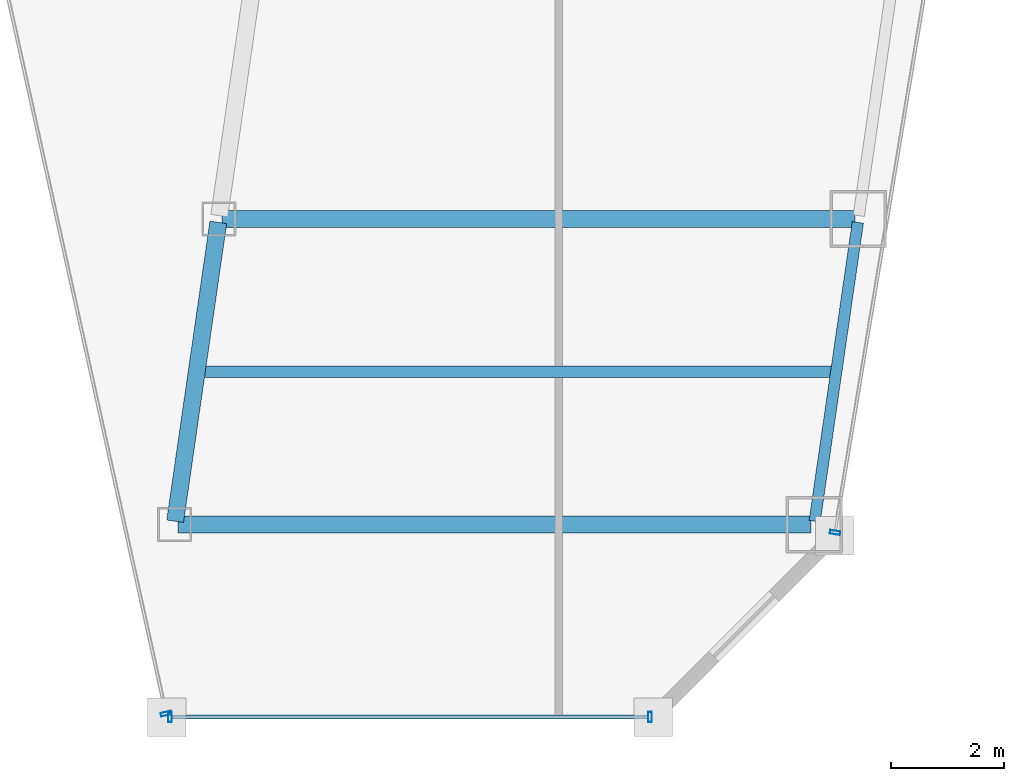
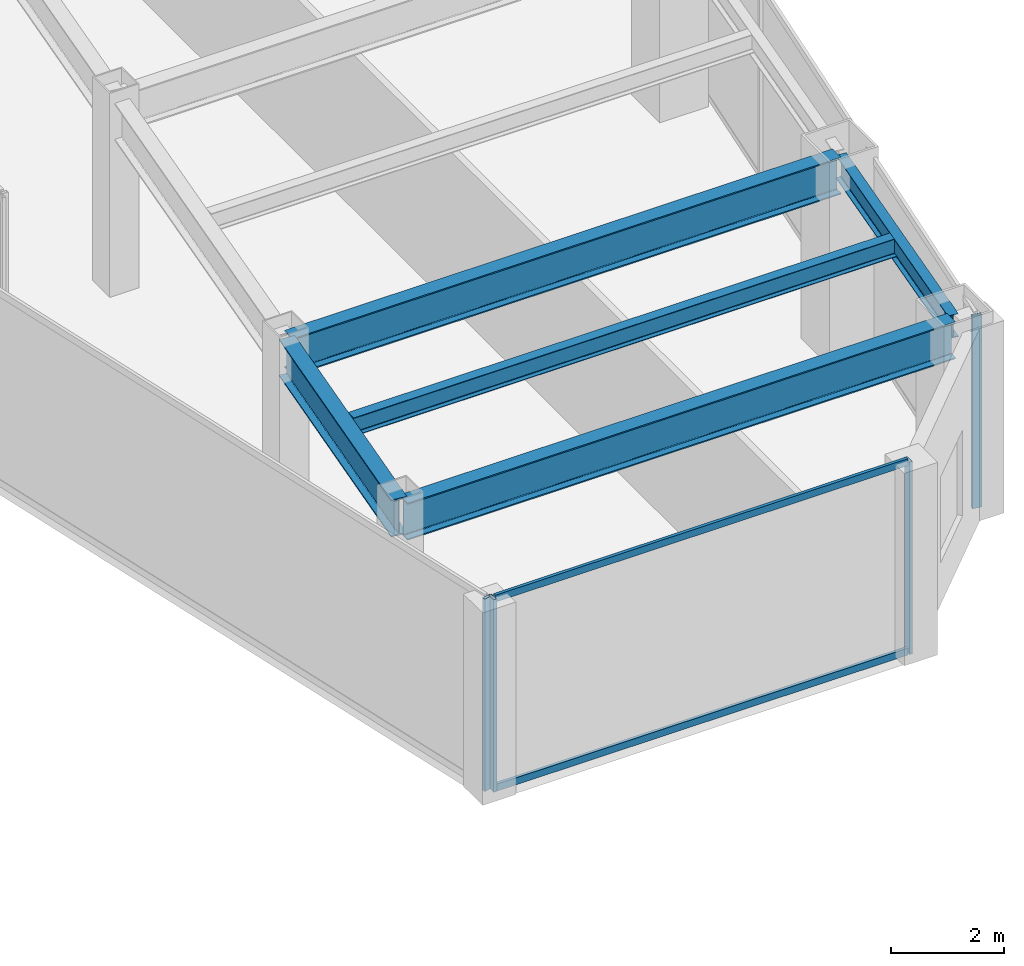
# One storey, part 15 of 37: 6 members, 5 beams, 3 elements without a shape of their own.
"""IFC4 building model written with IfcOpenShell, lengths in metres."""

import ifcopenshell
import ifcopenshell.guid

model = None  # the IFC model being written
_history = None  # IfcOwnerHistory: only IFC2X3 demands one
_inside = {}  # id of a spatial element -> (the spatial element, [elements in it])
_under = {}  # id of a project, library or spatial element -> (it, [spatial elements below it])
_declared = {}  # id of a project -> (the project, [libraries it declares])
_typed = {}  # id of a type object -> (the type object, [elements of that type])
_made_of = {}  # id of a material, layer set ... -> (it, [elements and type objects made of it])


def new_model(schema):
    """Start an empty IFC model of exactly this schema.

    Asked for "IFC4X3", IfcOpenShell would pick the latest addendum, in which some entities
    have other attributes; the version numbers below select the first issue.
    IFC2X3 requires an IfcOwnerHistory on every rooted entity: one is made here for all.
    """
    global model, _history
    if schema == "IFC4X3":
        model = ifcopenshell.file(schema_version=(4, 3, 0, 0))
    else:
        model = ifcopenshell.file(schema=schema)
    _inside.clear()
    _under.clear()
    _declared.clear()
    _typed.clear()
    _made_of.clear()
    _history = None
    if model.schema == "IFC2X3":
        org = make("IfcOrganization", Name="unknown")
        user = make(
            "IfcPersonAndOrganization",
            ThePerson=make("IfcPerson", FamilyName="unknown"),
            TheOrganization=org,
        )
        app = make(
            "IfcApplication",
            ApplicationDeveloper=org,
            Version="unknown",
            ApplicationFullName="unknown",
            ApplicationIdentifier="unknown",
        )
        _history = make(
            "IfcOwnerHistory",
            OwningUser=user,
            OwningApplication=app,
            ChangeAction="ADDED",
            CreationDate=0,
        )
    return model


def make(cls, **values):
    """One entity of the class cls with the attributes given. An attribute that is None is left unset."""
    return model.create_entity(
        cls, **{name: value for name, value in values.items() if value is not None}
    )


def rooted(cls, **values):
    """An entity with a GlobalId (a new one), such as an element, a storey or a relation."""
    return make(cls, GlobalId=ifcopenshell.guid.new(), OwnerHistory=_history, **values)


def si_unit(unit_type, name, prefix=None):
    """IfcSIUnit, for example si_unit("LENGTHUNIT", "METRE", prefix="MILLI")."""
    return make("IfcSIUnit", UnitType=unit_type, Prefix=prefix, Name=name)


def assignment(units):
    """IfcUnitAssignment: the units of a project."""
    return None if units is None else make("IfcUnitAssignment", Units=units)


def point(xyz):
    """IfcCartesianPoint."""
    return None if xyz is None else make("IfcCartesianPoint", Coordinates=xyz)


def direction(xyz):
    """IfcDirection."""
    return None if xyz is None else make("IfcDirection", DirectionRatios=xyz)


def frame(location, z_axis=None, x_axis=None):
    """IfcAxis2Placement3D, a coordinate frame: its origin and axes. An axis left out is left unset."""
    return make(
        "IfcAxis2Placement3D",
        Location=point(location),
        Axis=direction(z_axis),
        RefDirection=direction(x_axis),
    )


def frame_2d(location, x_axis=None):
    """IfcAxis2Placement2D, a coordinate frame in the plane: its origin and x axis."""
    return make(
        "IfcAxis2Placement2D", Location=point(location), RefDirection=direction(x_axis)
    )


def origin():
    """The frame at (0, 0, 0) with its axes left unset."""
    return frame((0.0, 0.0, 0.0))


def origin_2d():
    """The frame at (0, 0) in the plane with its x axis left unset."""
    return frame_2d((0.0, 0.0))


def place(relative_to, where):
    """IfcLocalPlacement: puts the frame where relative to a parent placement (None: the world)."""
    return make(
        "IfcLocalPlacement", PlacementRelTo=relative_to, RelativePlacement=where
    )


def context(
    kind, dimensions, precision=None, world=None, true_north=None, identifier=None
):
    """IfcGeometricRepresentationContext, for example the 3D "Model" context."""
    return make(
        "IfcGeometricRepresentationContext",
        ContextIdentifier=identifier,
        ContextType=kind,
        CoordinateSpaceDimension=dimensions,
        Precision=precision,
        WorldCoordinateSystem=world,
        TrueNorth=true_north,
    )


def subcontext(parent, identifier, kind, view, scale=None):
    """IfcGeometricRepresentationSubContext, for example "Body" below "Model"."""
    return make(
        "IfcGeometricRepresentationSubContext",
        ContextIdentifier=identifier,
        ContextType=kind,
        ParentContext=parent,
        TargetScale=scale,
        TargetView=view,
    )


def project(units=None, contexts=None):
    """IfcProject with its units and contexts."""
    return rooted(
        "IfcProject",
        Name="project",
        RepresentationContexts=contexts,
        UnitsInContext=assignment(units),
    )


def spatial(cls, under=None, at=None, **own):
    """A site, building, storey or space (cls), placed at a placement, below another one or the project."""
    s = rooted(cls, ObjectPlacement=at, **own)
    if under is not None:
        _under.setdefault(under.id(), (under, []))[1].append(s)
    return s


def profile(cls, at=None, kind="AREA", **sizes):
    """A parametric profile (cls). Its sizes go by their IFC names, for example OverallWidth=200.0."""
    return make(cls, ProfileType=kind, Position=at, **sizes)


def hollow_rectangle(**sizes):
    """IfcRectangleHollowProfileDef."""
    return profile("IfcRectangleHollowProfileDef", **sizes)


def i_section(**sizes):
    """IfcIShapeProfileDef."""
    return profile("IfcIShapeProfileDef", **sizes)


def extrude(swept, where, along, depth):
    """IfcExtrudedAreaSolid: the profile swept, set in the frame where, extruded along a direction by depth."""
    return make(
        "IfcExtrudedAreaSolid",
        SweptArea=swept,
        Position=where,
        ExtrudedDirection=direction(along),
        Depth=depth,
    )


def shape(context_of_items, identifier, shape_type, items):
    """IfcShapeRepresentation: the items that make up one representation, for example the "Body"."""
    return make(
        "IfcShapeRepresentation",
        ContextOfItems=context_of_items,
        RepresentationIdentifier=identifier,
        RepresentationType=shape_type,
        Items=items,
    )


def material(Name=None, Category=None):
    """IfcMaterial."""
    return make("IfcMaterial", Name=Name, Category=Category)


def material_profile(
    of_material, cross_section, Name=None, Category=None, Priority=None
):
    """IfcMaterialProfile: a cross section and its material."""
    return make(
        "IfcMaterialProfile",
        Name=Name,
        Material=of_material,
        Profile=cross_section,
        Priority=Priority,
        Category=Category,
    )


def profile_set(profiles, Name=None, composite=None):
    """IfcMaterialProfileSet."""
    return make(
        "IfcMaterialProfileSet",
        Name=Name,
        MaterialProfiles=profiles,
        CompositeProfile=composite,
    )


def made_of(thing, what):
    """Note that an element or type object is made of a material, layer set ...; save() writes the relation."""
    if what is not None:
        _made_of.setdefault(what.id(), (what, []))[1].append(thing)
    return thing


def type_object(cls, material=None, **own):
    """A type object (cls), such as IfcWallType, which elements share."""
    return made_of(rooted(cls, **own), material)


def element(
    cls,
    number,
    at=None,
    inside=None,
    cuts=None,
    type_object=None,
    material=None,
    context=None,
    identifier="Body",
    shape_type=None,
    held_by="IfcProductDefinitionShape",
    body=None,
    shapes=None,
    **own,
):
    """One element of the class cls, such as IfcWall. Its Tag is "e" and its number.

    at: its placement. inside: the storey or other place that contains it. cuts: it is an
    opening in that element (IfcRelVoidsElement). A single representation is given by context,
    identifier, shape_type and body (its items); several are given by shapes. held_by: the class
    of the entity that holds the representations. save() writes the other relations.
    """
    e = rooted(cls, Tag="e%d" % number, ObjectPlacement=at, **own)
    if body is not None:
        shapes = [shape(context, identifier, shape_type, body)]
    if shapes is not None:
        e.Representation = make(held_by, Representations=shapes)
    if inside is not None:
        _inside.setdefault(inside.id(), (inside, []))[1].append(e)
    if cuts is not None:
        rooted(
            "IfcRelVoidsElement", RelatingBuildingElement=cuts, RelatedOpeningElement=e
        )
    if type_object is not None:
        _typed.setdefault(type_object.id(), (type_object, []))[1].append(e)
    return made_of(e, material)


def aggregate(whole, parts):
    """IfcRelAggregates: a whole, such as a stair, and the parts it consists of."""
    return rooted("IfcRelAggregates", RelatingObject=whole, RelatedObjects=parts)


def save(model, path):
    """Write the relations noted so far, then the file.

    IfcRelAggregates (storeys below a building ...), IfcRelContainedInSpatialStructure (elements
    in a storey), IfcRelDefinesByType, IfcRelAssociatesMaterial and IfcRelDeclares: one each for
    every whole, place, type object, material and project.
    """
    for whole, parts in _under.values():
        aggregate(whole, parts)
    for where, things in _inside.values():
        rooted(
            "IfcRelContainedInSpatialStructure",
            RelatedElements=things,
            RelatingStructure=where,
        )
    for kind, things in _typed.values():
        rooted("IfcRelDefinesByType", RelatedObjects=things, RelatingType=kind)
    for what, things in _made_of.values():
        rooted("IfcRelAssociatesMaterial", RelatedObjects=things, RelatingMaterial=what)
    for by, libraries in _declared.values():
        rooted("IfcRelDeclares", RelatingContext=by, RelatedDefinitions=libraries)
    model.write(path)


model = new_model("IFC4")

# Units and contexts
model_context = context("Model", 3, precision=1e-05, world=origin(), true_north=direction((0.0, 1.0)))
body_context = subcontext(model_context, "Body", "Model", "MODEL_VIEW")
ifc_project = project(units=[si_unit("LENGTHUNIT", "METRE"), si_unit("AREAUNIT", "SQUARE_METRE"), si_unit("VOLUMEUNIT", "CUBIC_METRE"), si_unit("PLANEANGLEUNIT", "RADIAN"), si_unit("MASSUNIT", "GRAM", prefix="KILO")], contexts=[model_context])

# Site, building, storey
site_placement = place(None, origin())
site = spatial("IfcSite", under=ifc_project, at=site_placement, CompositionType="ELEMENT")
building_placement = place(site_placement, origin())
building = spatial("IfcBuilding", under=site, at=building_placement, Name="Saevonmaru Cultural Tower", CompositionType="ELEMENT")
storey_placement = place(building_placement, frame((0.0, 0.0, 106.0)))
storey = spatial("IfcBuildingStorey", under=building, at=storey_placement, Name="L22", CompositionType="ELEMENT", Elevation=106.0)

# Beams
ifc_material_1 = material(Name="Steel SM420", Category="steel")
ifc_material_profile_1 = material_profile(ifc_material_1, i_section(OverallWidth=0.300048828125, OverallDepth=0.800048828125, WebThickness=0.013916015625, FlangeThickness=0.02587890625, FilletRadius=0.028076171875, at=origin_2d()), Name="H-800x300x14x26")
ifc_profile_set_1 = profile_set([ifc_material_profile_1], Name="Steel SM420")
beam_type_1 = type_object("IfcBeamType", Name="BM-G-H800", PredefinedType="BEAM", material=ifc_profile_set_1)
beam_1_placement = place(storey_placement, frame((37.300537109375, 10.659423828125, 3.75), z_axis=(0.142977693794, 0.989725911087, 0.0), x_axis=(-0.989725911087, 0.142977693794, 0.0)))
element("IfcBeam", 1, at=beam_1_placement, inside=storey, type_object=beam_type_1, Name="L22 East Atrium Girder 1", PredefinedType="BEAM", context=body_context, shape_type="SweptSolid", body=[
    extrude(i_section(OverallWidth=0.300048828125, OverallDepth=0.800048828125, WebThickness=0.013916015625, FlangeThickness=0.02587890625, FilletRadius=0.028076171875, at=origin_2d()), origin(), (0.0, 0.0, 1.0), 5.336181640625),
])
for number, where, z_axis, x_axis, name in (
    (2, (37.35205078125, 10.60009765625, 3.75), (1.0, 0.0, 0.0), (0.0, 1.0, 0.0), "L22 East Wing Transverse Girder 1"),
    (3, (38.132080078125, 16.0, 3.75), (1.0, 0.0, 0.0), (0.0, 1.0, 0.0), "L22 East Wing Transverse Girder 2"),
):
    element("IfcBeam", number, at=place(storey_placement, frame(where, z_axis=z_axis, x_axis=x_axis)), inside=storey, type_object=beam_type_1, Name=name, PredefinedType="BEAM", context=body_context, shape_type="SweptSolid", body=[
        extrude(i_section(OverallWidth=0.300048828125, OverallDepth=0.800048828125, WebThickness=0.013916015625, FlangeThickness=0.02587890625, FilletRadius=0.028076171875, at=origin_2d()), origin(), (0.0, 0.0, 1.0), 11.179931640625),
    ])
ifc_material_2 = material(Name="Steel SM355", Category="steel")
ifc_material_profile_2 = material_profile(ifc_material_2, i_section(OverallWidth=0.199951171875, OverallDepth=0.39990234375, WebThickness=0.008056640625, FlangeThickness=0.012939453125, FilletRadius=0.01611328125, at=origin_2d()), Name="H-400x200x8x13")
ifc_profile_set_2 = profile_set([ifc_material_profile_2], Name="Steel SM355")
beam_type_2 = type_object("IfcBeamType", Name="BM-J-H400", PredefinedType="JOIST", material=ifc_profile_set_2)
beam_2_placement = place(storey_placement, frame((37.840087890625, 13.300048828125, 3.949951171875), z_axis=(1.0, 0.0, 0.0), x_axis=(0.0, 1.0, 0.0)))
element("IfcBeam", 4, at=beam_2_placement, inside=storey, type_object=beam_type_2, Name="L22 East Wing Floor Joist 1", PredefinedType="JOIST", context=body_context, shape_type="SweptSolid", body=[
    extrude(i_section(OverallWidth=0.199951171875, OverallDepth=0.39990234375, WebThickness=0.008056640625, FlangeThickness=0.012939453125, FilletRadius=0.01611328125, at=origin_2d()), origin(), (0.0, 0.0, 1.0), 11.08203125),
])
ifc_material_profile_3 = material_profile(ifc_material_2, i_section(OverallWidth=0.199951171875, OverallDepth=0.5, WebThickness=0.010009765625, FlangeThickness=0.01611328125, FilletRadius=0.02001953125, at=origin_2d()), Name="H-500x200x10x16")
ifc_profile_set_3 = profile_set([ifc_material_profile_3], Name="Steel SM355")
beam_type_3 = type_object("IfcBeamType", Name="BM-SP-H500", PredefinedType="SPANDREL", material=ifc_profile_set_3)
beam_3_placement = place(storey_placement, frame((48.6005859375, 10.659423828125, 3.89990234375), z_axis=(0.1429328758, 0.989732384544, 0.0), x_axis=(-0.989732384544, 0.1429328758, 0.0)))
element("IfcBeam", 5, at=beam_3_placement, inside=storey, type_object=beam_type_3, Name="L22 East Splayed Spandrel 1", PredefinedType="SPANDREL", context=body_context, shape_type="SweptSolid", body=[
    extrude(i_section(OverallWidth=0.199951171875, OverallDepth=0.5, WebThickness=0.010009765625, FlangeThickness=0.01611328125, FilletRadius=0.02001953125, at=origin_2d()), origin(), (0.0, 0.0, 1.0), 5.3359375),
])

# Curtain wall, member
ifc_material_3 = material(Name="Satin Bronze Anodised Aluminium", Category="aluminium")
curtain_wall_type = type_object("IfcCurtainWallType", Name="CW-TYP-A", PredefinedType="NOTDEFINED", material=ifc_material_3)
curtain_wall_1_placement = place(storey_placement, origin())
curtain_wall_1 = element("IfcCurtainWall", 6, at=curtain_wall_1_placement, inside=storey, type_object=curtain_wall_type, Name="L22 Unitised Curtain Wall E5", PredefinedType="NOTDEFINED")
ifc_material_profile_4 = material_profile(ifc_material_3, hollow_rectangle(XDim=0.06494140625, YDim=0.179931640625, WallThickness=0.00390625, at=origin_2d()), Name="ALU-MULL-180x65x4")
ifc_profile_set_4 = profile_set([ifc_material_profile_4], Name="Satin Bronze Anodised Aluminium")
member_type_1 = type_object("IfcMemberType", Name="ML-CW-180x65", PredefinedType="MULLION", material=ifc_profile_set_4)
member_1_placement = place(storey_placement, frame((37.13818359375, 7.258544921875, 0.0), z_axis=(0.0, 0.0, 1.0), x_axis=(0.215413319953, -0.976522965212, 0.0)))
member_1 = element("IfcMember", 7, at=member_1_placement, type_object=member_type_1, Name="CW-TW-L22-E5 mullion 2", PredefinedType="MULLION", context=body_context, shape_type="SweptSolid", body=[
    extrude(hollow_rectangle(XDim=0.06494140625, YDim=0.179931640625, WallThickness=0.00390625, at=origin_2d()), origin(), (0.0, 0.0, 1.0), 4.14990234375),
])
aggregate(curtain_wall_1, [member_1])

# Curtain wall, members
curtain_wall_2_placement = place(storey_placement, origin())
curtain_wall_2 = element("IfcCurtainWall", 8, at=curtain_wall_2_placement, inside=storey, type_object=curtain_wall_type, Name="L22 Unitised Curtain Wall E6", PredefinedType="NOTDEFINED")
member_2_placement = place(storey_placement, frame((37.211181640625, 7.199951171875, 0.0), z_axis=(0.0, 0.0, 1.0), x_axis=(1.0, 0.0, 0.0)))
member_2 = element("IfcMember", 9, at=member_2_placement, type_object=member_type_1, Name="CW-TW-L22-E6 mullion 1", PredefinedType="MULLION", context=body_context, shape_type="SweptSolid", body=[
    extrude(hollow_rectangle(XDim=0.06494140625, YDim=0.179931640625, WallThickness=0.00390625, at=origin_2d()), origin(), (0.0, 0.0, 1.0), 4.14990234375),
])
member_3_placement = place(storey_placement, frame((45.691162109375, 7.199951171875, 0.0), z_axis=(0.0, 0.0, 1.0), x_axis=(1.0, 0.0, 0.0)))
member_3 = element("IfcMember", 10, at=member_3_placement, type_object=member_type_1, Name="CW-TW-L22-E6 mullion 2", PredefinedType="MULLION", context=body_context, shape_type="SweptSolid", body=[
    extrude(hollow_rectangle(XDim=0.06494140625, YDim=0.179931640625, WallThickness=0.00390625, at=origin_2d()), origin(), (0.0, 0.0, 1.0), 4.14990234375),
])

# Curtain wall, member
curtain_wall_3_placement = place(storey_placement, origin())
curtain_wall_3 = element("IfcCurtainWall", 11, at=curtain_wall_3_placement, inside=storey, type_object=curtain_wall_type, Name="L22 Unitised Curtain Wall E8", PredefinedType="NOTDEFINED")
member_4_placement = place(storey_placement, frame((48.9609375, 10.459228515625, 0.0), z_axis=(0.0, 0.0, 1.0), x_axis=(0.163998702345, 0.986460554523, 0.0)))
member_4 = element("IfcMember", 12, at=member_4_placement, type_object=member_type_1, Name="CW-TW-L22-E8 mullion 1", PredefinedType="MULLION", context=body_context, shape_type="SweptSolid", body=[
    extrude(hollow_rectangle(XDim=0.06494140625, YDim=0.179931640625, WallThickness=0.00390625, at=origin_2d()), origin(), (0.0, 0.0, 1.0), 4.14990234375),
])
aggregate(curtain_wall_3, [member_4])

# Member
ifc_material_profile_5 = material_profile(ifc_material_3, hollow_rectangle(XDim=0.06494140625, YDim=0.14990234375, WallThickness=0.00390625, at=origin_2d()), Name="ALU-TRAN-150x65x4")
ifc_profile_set_5 = profile_set([ifc_material_profile_5], Name="Satin Bronze Anodised Aluminium")
member_type_2 = type_object("IfcMemberType", Name="TR-CW-150x65", PredefinedType="USERDEFINED", material=ifc_profile_set_5)
member_5_placement = place(storey_placement, frame((37.24365234375, 7.199951171875, 0.032470703125), z_axis=(1.0, 0.0, 0.0), x_axis=(0.0, 1.0, 0.0)))
member_5 = element("IfcMember", 13, at=member_5_placement, type_object=member_type_2, Name="CW-TW-L22-E6 transom 1.1", ObjectType="TRANSOM", PredefinedType="USERDEFINED", context=body_context, shape_type="SweptSolid", body=[
    extrude(hollow_rectangle(XDim=0.06494140625, YDim=0.14990234375, WallThickness=0.00390625, at=origin_2d()), origin(), (0.0, 0.0, 1.0), 8.4150390625),
])

member_6_placement = place(storey_placement, frame((37.24365234375, 7.199951171875, 4.117431640625), z_axis=(1.0, 0.0, 0.0), x_axis=(0.0, 1.0, 0.0)))
member_6 = element("IfcMember", 14, at=member_6_placement, type_object=member_type_2, Name="CW-TW-L22-E6 transom 1.2", ObjectType="TRANSOM", PredefinedType="USERDEFINED", context=body_context, shape_type="SweptSolid", body=[
    extrude(hollow_rectangle(XDim=0.06494140625, YDim=0.14990234375, WallThickness=0.00390625, at=origin_2d()), origin(), (0.0, 0.0, 1.0), 8.4150390625),
])

aggregate(curtain_wall_2, [member_2, member_3, member_5, member_6])

save(model, "model.ifc")
